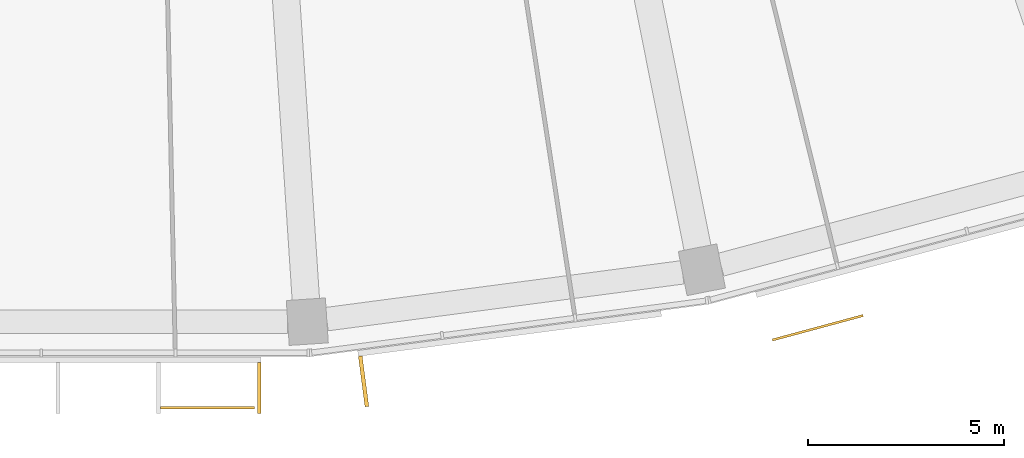
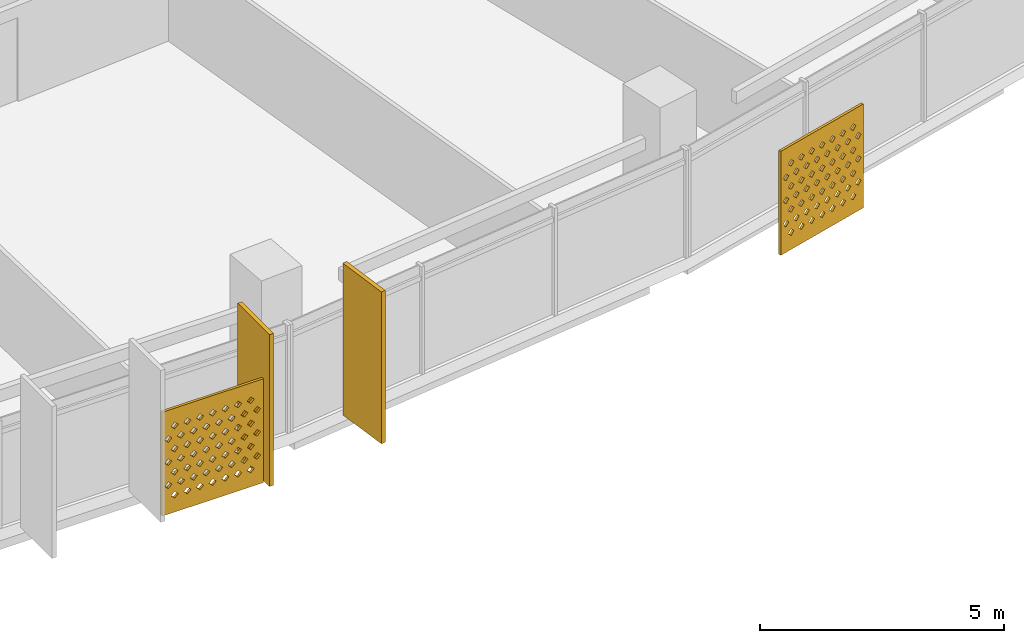
# One storey, part 25 of 27: 4 shading devices.
"""IFC4 building model written with IfcOpenShell, lengths in metres."""

from ifc_helpers import new_model, si_unit, direction, frame, origin, origin_2d, place, context, subcontext, project, spatial, polyline, rectangle, outline, extrude, material, material_profile, profile_set, type_object, element, save


model = new_model("IFC4")

# Units and contexts
model_context = context("Model", 3, precision=1e-05, world=origin(), true_north=direction((0.0, 1.0)))
body_context = subcontext(model_context, "Body", "Model", "MODEL_VIEW")
ifc_project = project(units=[si_unit("LENGTHUNIT", "METRE"), si_unit("AREAUNIT", "SQUARE_METRE"), si_unit("VOLUMEUNIT", "CUBIC_METRE"), si_unit("PLANEANGLEUNIT", "RADIAN"), si_unit("MASSUNIT", "GRAM", prefix="KILO")], contexts=[model_context])

# Site, building, storey
site_placement = place(None, origin())
site = spatial("IfcSite", under=ifc_project, at=site_placement, CompositionType="ELEMENT")
building_placement = place(site_placement, origin())
building = spatial("IfcBuilding", under=site, at=building_placement, Name="Qamariyya Broadcast Tower", CompositionType="ELEMENT")
storey_placement = place(building_placement, frame((0.0, 0.0, 222.699951171875)))
storey = spatial("IfcBuildingStorey", under=building, at=storey_placement, Name="L53", CompositionType="ELEMENT", Elevation=222.699951171875)

# Shading devices
ifc_material_1 = material(Name="Perforated glazed terracotta", Category="masonry")
ifc_material_profile_1 = material_profile(ifc_material_1, outline(polyline([(-1.199951171875, -1.300048828125), (1.199951171875, -1.300048828125), (1.199951171875, 1.300048828125), (-1.199951171875, 1.300048828125), (-1.199951171875, -1.300048828125)]), holes=[polyline([(-0.81494140625, -0.86669921875), (-0.89990234375, -0.78173828125), (-0.985107421875, -0.86669921875), (-0.89990234375, -0.95166015625), (-0.81494140625, -0.86669921875)]), polyline([(-0.514892578125, -0.86669921875), (-0.60009765625, -0.78173828125), (-0.68505859375, -0.86669921875), (-0.60009765625, -0.95166015625), (-0.514892578125, -0.86669921875)]), polyline([(-0.215087890625, -0.86669921875), (-0.300048828125, -0.78173828125), (-0.385009765625, -0.86669921875), (-0.300048828125, -0.95166015625), (-0.215087890625, -0.86669921875)]), polyline([(0.0849609375, -0.86669921875), (0.0, -0.78173828125), (-0.0849609375, -0.86669921875), (0.0, -0.95166015625), (0.0849609375, -0.86669921875)]), polyline([(0.385009765625, -0.86669921875), (0.300048828125, -0.78173828125), (0.215087890625, -0.86669921875), (0.300048828125, -0.95166015625), (0.385009765625, -0.86669921875)]), polyline([(0.68505859375, -0.86669921875), (0.60009765625, -0.78173828125), (0.514892578125, -0.86669921875), (0.60009765625, -0.95166015625), (0.68505859375, -0.86669921875)]), polyline([(0.985107421875, -0.86669921875), (0.89990234375, -0.78173828125), (0.81494140625, -0.86669921875), (0.89990234375, -0.95166015625), (0.985107421875, -0.86669921875)]), polyline([(-0.965087890625, -0.577880859375), (-1.050048828125, -0.49267578125), (-1.135009765625, -0.577880859375), (-1.050048828125, -0.662841796875), (-0.965087890625, -0.577880859375)]), polyline([(-0.6650390625, -0.577880859375), (-0.75, -0.49267578125), (-0.8349609375, -0.577880859375), (-0.75, -0.662841796875), (-0.6650390625, -0.577880859375)]), polyline([(-0.364990234375, -0.577880859375), (-0.449951171875, -0.49267578125), (-0.534912109375, -0.577880859375), (-0.449951171875, -0.662841796875), (-0.364990234375, -0.577880859375)]), polyline([(-0.06494140625, -0.577880859375), (-0.14990234375, -0.49267578125), (-0.235107421875, -0.577880859375), (-0.14990234375, -0.662841796875), (-0.06494140625, -0.577880859375)]), polyline([(0.235107421875, -0.577880859375), (0.14990234375, -0.49267578125), (0.06494140625, -0.577880859375), (0.14990234375, -0.662841796875), (0.235107421875, -0.577880859375)]), polyline([(0.534912109375, -0.577880859375), (0.449951171875, -0.49267578125), (0.364990234375, -0.577880859375), (0.449951171875, -0.662841796875), (0.534912109375, -0.577880859375)]), polyline([(0.8349609375, -0.577880859375), (0.75, -0.49267578125), (0.6650390625, -0.577880859375), (0.75, -0.662841796875), (0.8349609375, -0.577880859375)]), polyline([(1.135009765625, -0.577880859375), (1.050048828125, -0.49267578125), (0.965087890625, -0.577880859375), (1.050048828125, -0.662841796875), (1.135009765625, -0.577880859375)]), polyline([(-0.81494140625, -0.288818359375), (-0.89990234375, -0.203857421875), (-0.985107421875, -0.288818359375), (-0.89990234375, -0.373779296875), (-0.81494140625, -0.288818359375)]), polyline([(-0.514892578125, -0.288818359375), (-0.60009765625, -0.203857421875), (-0.68505859375, -0.288818359375), (-0.60009765625, -0.373779296875), (-0.514892578125, -0.288818359375)]), polyline([(-0.215087890625, -0.288818359375), (-0.300048828125, -0.203857421875), (-0.385009765625, -0.288818359375), (-0.300048828125, -0.373779296875), (-0.215087890625, -0.288818359375)]), polyline([(0.0849609375, -0.288818359375), (0.0, -0.203857421875), (-0.0849609375, -0.288818359375), (0.0, -0.373779296875), (0.0849609375, -0.288818359375)]), polyline([(0.385009765625, -0.288818359375), (0.300048828125, -0.203857421875), (0.215087890625, -0.288818359375), (0.300048828125, -0.373779296875), (0.385009765625, -0.288818359375)]), polyline([(0.68505859375, -0.288818359375), (0.60009765625, -0.203857421875), (0.514892578125, -0.288818359375), (0.60009765625, -0.373779296875), (0.68505859375, -0.288818359375)]), polyline([(0.985107421875, -0.288818359375), (0.89990234375, -0.203857421875), (0.81494140625, -0.288818359375), (0.89990234375, -0.373779296875), (0.985107421875, -0.288818359375)]), polyline([(-0.965087890625, 0.0), (-1.050048828125, 0.0849609375), (-1.135009765625, 0.0), (-1.050048828125, -0.0849609375), (-0.965087890625, 0.0)]), polyline([(-0.6650390625, 0.0), (-0.75, 0.0849609375), (-0.8349609375, 0.0), (-0.75, -0.0849609375), (-0.6650390625, 0.0)]), polyline([(-0.364990234375, 0.0), (-0.449951171875, 0.0849609375), (-0.534912109375, 0.0), (-0.449951171875, -0.0849609375), (-0.364990234375, 0.0)]), polyline([(-0.06494140625, 0.0), (-0.14990234375, 0.0849609375), (-0.235107421875, 0.0), (-0.14990234375, -0.0849609375), (-0.06494140625, 0.0)]), polyline([(0.235107421875, 0.0), (0.14990234375, 0.0849609375), (0.06494140625, 0.0), (0.14990234375, -0.0849609375), (0.235107421875, 0.0)]), polyline([(0.534912109375, 0.0), (0.449951171875, 0.0849609375), (0.364990234375, 0.0), (0.449951171875, -0.0849609375), (0.534912109375, 0.0)]), polyline([(0.8349609375, 0.0), (0.75, 0.0849609375), (0.6650390625, 0.0), (0.75, -0.0849609375), (0.8349609375, 0.0)]), polyline([(1.135009765625, 0.0), (1.050048828125, 0.0849609375), (0.965087890625, 0.0), (1.050048828125, -0.0849609375), (1.135009765625, 0.0)]), polyline([(-0.81494140625, 0.288818359375), (-0.89990234375, 0.373779296875), (-0.985107421875, 0.288818359375), (-0.89990234375, 0.203857421875), (-0.81494140625, 0.288818359375)]), polyline([(-0.514892578125, 0.288818359375), (-0.60009765625, 0.373779296875), (-0.68505859375, 0.288818359375), (-0.60009765625, 0.203857421875), (-0.514892578125, 0.288818359375)]), polyline([(-0.215087890625, 0.288818359375), (-0.300048828125, 0.373779296875), (-0.385009765625, 0.288818359375), (-0.300048828125, 0.203857421875), (-0.215087890625, 0.288818359375)]), polyline([(0.0849609375, 0.288818359375), (0.0, 0.373779296875), (-0.0849609375, 0.288818359375), (0.0, 0.203857421875), (0.0849609375, 0.288818359375)]), polyline([(0.385009765625, 0.288818359375), (0.300048828125, 0.373779296875), (0.215087890625, 0.288818359375), (0.300048828125, 0.203857421875), (0.385009765625, 0.288818359375)]), polyline([(0.68505859375, 0.288818359375), (0.60009765625, 0.373779296875), (0.514892578125, 0.288818359375), (0.60009765625, 0.203857421875), (0.68505859375, 0.288818359375)]), polyline([(0.985107421875, 0.288818359375), (0.89990234375, 0.373779296875), (0.81494140625, 0.288818359375), (0.89990234375, 0.203857421875), (0.985107421875, 0.288818359375)]), polyline([(-0.965087890625, 0.577880859375), (-1.050048828125, 0.662841796875), (-1.135009765625, 0.577880859375), (-1.050048828125, 0.49267578125), (-0.965087890625, 0.577880859375)]), polyline([(-0.6650390625, 0.577880859375), (-0.75, 0.662841796875), (-0.8349609375, 0.577880859375), (-0.75, 0.49267578125), (-0.6650390625, 0.577880859375)]), polyline([(-0.364990234375, 0.577880859375), (-0.449951171875, 0.662841796875), (-0.534912109375, 0.577880859375), (-0.449951171875, 0.49267578125), (-0.364990234375, 0.577880859375)]), polyline([(-0.06494140625, 0.577880859375), (-0.14990234375, 0.662841796875), (-0.235107421875, 0.577880859375), (-0.14990234375, 0.49267578125), (-0.06494140625, 0.577880859375)]), polyline([(0.235107421875, 0.577880859375), (0.14990234375, 0.662841796875), (0.06494140625, 0.577880859375), (0.14990234375, 0.49267578125), (0.235107421875, 0.577880859375)]), polyline([(0.534912109375, 0.577880859375), (0.449951171875, 0.662841796875), (0.364990234375, 0.577880859375), (0.449951171875, 0.49267578125), (0.534912109375, 0.577880859375)]), polyline([(0.8349609375, 0.577880859375), (0.75, 0.662841796875), (0.6650390625, 0.577880859375), (0.75, 0.49267578125), (0.8349609375, 0.577880859375)]), polyline([(1.135009765625, 0.577880859375), (1.050048828125, 0.662841796875), (0.965087890625, 0.577880859375), (1.050048828125, 0.49267578125), (1.135009765625, 0.577880859375)]), polyline([(-0.81494140625, 0.86669921875), (-0.89990234375, 0.95166015625), (-0.985107421875, 0.86669921875), (-0.89990234375, 0.78173828125), (-0.81494140625, 0.86669921875)]), polyline([(-0.514892578125, 0.86669921875), (-0.60009765625, 0.95166015625), (-0.68505859375, 0.86669921875), (-0.60009765625, 0.78173828125), (-0.514892578125, 0.86669921875)]), polyline([(-0.215087890625, 0.86669921875), (-0.300048828125, 0.95166015625), (-0.385009765625, 0.86669921875), (-0.300048828125, 0.78173828125), (-0.215087890625, 0.86669921875)]), polyline([(0.0849609375, 0.86669921875), (0.0, 0.95166015625), (-0.0849609375, 0.86669921875), (0.0, 0.78173828125), (0.0849609375, 0.86669921875)]), polyline([(0.385009765625, 0.86669921875), (0.300048828125, 0.95166015625), (0.215087890625, 0.86669921875), (0.300048828125, 0.78173828125), (0.385009765625, 0.86669921875)]), polyline([(0.68505859375, 0.86669921875), (0.60009765625, 0.95166015625), (0.514892578125, 0.86669921875), (0.60009765625, 0.78173828125), (0.68505859375, 0.86669921875)]), polyline([(0.985107421875, 0.86669921875), (0.89990234375, 0.95166015625), (0.81494140625, 0.86669921875), (0.89990234375, 0.78173828125), (0.985107421875, 0.86669921875)])]))
ifc_profile_set_1 = profile_set([ifc_material_profile_1], Name="Perforated glazed terracotta")
shading_device_type_1 = type_object("IfcShadingDeviceType", Name="Perforated terracotta screen 2400 x 2600", PredefinedType="USERDEFINED", material=ifc_profile_set_1)
shading_device_1_placement = place(storey_placement, frame((2.535888671875, -79.751708984375, 1.35009765625), z_axis=(0.0, -1.0, 0.0), x_axis=(1.0, 0.0, 0.0)))
element("IfcShadingDevice", 1, at=shading_device_1_placement, inside=storey, type_object=shading_device_type_1, Name="e-scr-L53-08-2", ObjectType="SCREEN", PredefinedType="USERDEFINED", context=body_context, shape_type="SweptSolid", body=[
    extrude(outline(polyline([(-1.199951171875, -1.300048828125), (1.199951171875, -1.300048828125), (1.199951171875, 1.300048828125), (-1.199951171875, 1.300048828125), (-1.199951171875, -1.300048828125)]), holes=[polyline([(-0.81494140625, -0.86669921875), (-0.89990234375, -0.78173828125), (-0.985107421875, -0.86669921875), (-0.89990234375, -0.95166015625), (-0.81494140625, -0.86669921875)]), polyline([(-0.514892578125, -0.86669921875), (-0.60009765625, -0.78173828125), (-0.68505859375, -0.86669921875), (-0.60009765625, -0.95166015625), (-0.514892578125, -0.86669921875)]), polyline([(-0.215087890625, -0.86669921875), (-0.300048828125, -0.78173828125), (-0.385009765625, -0.86669921875), (-0.300048828125, -0.95166015625), (-0.215087890625, -0.86669921875)]), polyline([(0.0849609375, -0.86669921875), (0.0, -0.78173828125), (-0.0849609375, -0.86669921875), (0.0, -0.95166015625), (0.0849609375, -0.86669921875)]), polyline([(0.385009765625, -0.86669921875), (0.300048828125, -0.78173828125), (0.215087890625, -0.86669921875), (0.300048828125, -0.95166015625), (0.385009765625, -0.86669921875)]), polyline([(0.68505859375, -0.86669921875), (0.60009765625, -0.78173828125), (0.514892578125, -0.86669921875), (0.60009765625, -0.95166015625), (0.68505859375, -0.86669921875)]), polyline([(0.985107421875, -0.86669921875), (0.89990234375, -0.78173828125), (0.81494140625, -0.86669921875), (0.89990234375, -0.95166015625), (0.985107421875, -0.86669921875)]), polyline([(-0.965087890625, -0.577880859375), (-1.050048828125, -0.49267578125), (-1.135009765625, -0.577880859375), (-1.050048828125, -0.662841796875), (-0.965087890625, -0.577880859375)]), polyline([(-0.6650390625, -0.577880859375), (-0.75, -0.49267578125), (-0.8349609375, -0.577880859375), (-0.75, -0.662841796875), (-0.6650390625, -0.577880859375)]), polyline([(-0.364990234375, -0.577880859375), (-0.449951171875, -0.49267578125), (-0.534912109375, -0.577880859375), (-0.449951171875, -0.662841796875), (-0.364990234375, -0.577880859375)]), polyline([(-0.06494140625, -0.577880859375), (-0.14990234375, -0.49267578125), (-0.235107421875, -0.577880859375), (-0.14990234375, -0.662841796875), (-0.06494140625, -0.577880859375)]), polyline([(0.235107421875, -0.577880859375), (0.14990234375, -0.49267578125), (0.06494140625, -0.577880859375), (0.14990234375, -0.662841796875), (0.235107421875, -0.577880859375)]), polyline([(0.534912109375, -0.577880859375), (0.449951171875, -0.49267578125), (0.364990234375, -0.577880859375), (0.449951171875, -0.662841796875), (0.534912109375, -0.577880859375)]), polyline([(0.8349609375, -0.577880859375), (0.75, -0.49267578125), (0.6650390625, -0.577880859375), (0.75, -0.662841796875), (0.8349609375, -0.577880859375)]), polyline([(1.135009765625, -0.577880859375), (1.050048828125, -0.49267578125), (0.965087890625, -0.577880859375), (1.050048828125, -0.662841796875), (1.135009765625, -0.577880859375)]), polyline([(-0.81494140625, -0.288818359375), (-0.89990234375, -0.203857421875), (-0.985107421875, -0.288818359375), (-0.89990234375, -0.373779296875), (-0.81494140625, -0.288818359375)]), polyline([(-0.514892578125, -0.288818359375), (-0.60009765625, -0.203857421875), (-0.68505859375, -0.288818359375), (-0.60009765625, -0.373779296875), (-0.514892578125, -0.288818359375)]), polyline([(-0.215087890625, -0.288818359375), (-0.300048828125, -0.203857421875), (-0.385009765625, -0.288818359375), (-0.300048828125, -0.373779296875), (-0.215087890625, -0.288818359375)]), polyline([(0.0849609375, -0.288818359375), (0.0, -0.203857421875), (-0.0849609375, -0.288818359375), (0.0, -0.373779296875), (0.0849609375, -0.288818359375)]), polyline([(0.385009765625, -0.288818359375), (0.300048828125, -0.203857421875), (0.215087890625, -0.288818359375), (0.300048828125, -0.373779296875), (0.385009765625, -0.288818359375)]), polyline([(0.68505859375, -0.288818359375), (0.60009765625, -0.203857421875), (0.514892578125, -0.288818359375), (0.60009765625, -0.373779296875), (0.68505859375, -0.288818359375)]), polyline([(0.985107421875, -0.288818359375), (0.89990234375, -0.203857421875), (0.81494140625, -0.288818359375), (0.89990234375, -0.373779296875), (0.985107421875, -0.288818359375)]), polyline([(-0.965087890625, 0.0), (-1.050048828125, 0.0849609375), (-1.135009765625, 0.0), (-1.050048828125, -0.0849609375), (-0.965087890625, 0.0)]), polyline([(-0.6650390625, 0.0), (-0.75, 0.0849609375), (-0.8349609375, 0.0), (-0.75, -0.0849609375), (-0.6650390625, 0.0)]), polyline([(-0.364990234375, 0.0), (-0.449951171875, 0.0849609375), (-0.534912109375, 0.0), (-0.449951171875, -0.0849609375), (-0.364990234375, 0.0)]), polyline([(-0.06494140625, 0.0), (-0.14990234375, 0.0849609375), (-0.235107421875, 0.0), (-0.14990234375, -0.0849609375), (-0.06494140625, 0.0)]), polyline([(0.235107421875, 0.0), (0.14990234375, 0.0849609375), (0.06494140625, 0.0), (0.14990234375, -0.0849609375), (0.235107421875, 0.0)]), polyline([(0.534912109375, 0.0), (0.449951171875, 0.0849609375), (0.364990234375, 0.0), (0.449951171875, -0.0849609375), (0.534912109375, 0.0)]), polyline([(0.8349609375, 0.0), (0.75, 0.0849609375), (0.6650390625, 0.0), (0.75, -0.0849609375), (0.8349609375, 0.0)]), polyline([(1.135009765625, 0.0), (1.050048828125, 0.0849609375), (0.965087890625, 0.0), (1.050048828125, -0.0849609375), (1.135009765625, 0.0)]), polyline([(-0.81494140625, 0.288818359375), (-0.89990234375, 0.373779296875), (-0.985107421875, 0.288818359375), (-0.89990234375, 0.203857421875), (-0.81494140625, 0.288818359375)]), polyline([(-0.514892578125, 0.288818359375), (-0.60009765625, 0.373779296875), (-0.68505859375, 0.288818359375), (-0.60009765625, 0.203857421875), (-0.514892578125, 0.288818359375)]), polyline([(-0.215087890625, 0.288818359375), (-0.300048828125, 0.373779296875), (-0.385009765625, 0.288818359375), (-0.300048828125, 0.203857421875), (-0.215087890625, 0.288818359375)]), polyline([(0.0849609375, 0.288818359375), (0.0, 0.373779296875), (-0.0849609375, 0.288818359375), (0.0, 0.203857421875), (0.0849609375, 0.288818359375)]), polyline([(0.385009765625, 0.288818359375), (0.300048828125, 0.373779296875), (0.215087890625, 0.288818359375), (0.300048828125, 0.203857421875), (0.385009765625, 0.288818359375)]), polyline([(0.68505859375, 0.288818359375), (0.60009765625, 0.373779296875), (0.514892578125, 0.288818359375), (0.60009765625, 0.203857421875), (0.68505859375, 0.288818359375)]), polyline([(0.985107421875, 0.288818359375), (0.89990234375, 0.373779296875), (0.81494140625, 0.288818359375), (0.89990234375, 0.203857421875), (0.985107421875, 0.288818359375)]), polyline([(-0.965087890625, 0.577880859375), (-1.050048828125, 0.662841796875), (-1.135009765625, 0.577880859375), (-1.050048828125, 0.49267578125), (-0.965087890625, 0.577880859375)]), polyline([(-0.6650390625, 0.577880859375), (-0.75, 0.662841796875), (-0.8349609375, 0.577880859375), (-0.75, 0.49267578125), (-0.6650390625, 0.577880859375)]), polyline([(-0.364990234375, 0.577880859375), (-0.449951171875, 0.662841796875), (-0.534912109375, 0.577880859375), (-0.449951171875, 0.49267578125), (-0.364990234375, 0.577880859375)]), polyline([(-0.06494140625, 0.577880859375), (-0.14990234375, 0.662841796875), (-0.235107421875, 0.577880859375), (-0.14990234375, 0.49267578125), (-0.06494140625, 0.577880859375)]), polyline([(0.235107421875, 0.577880859375), (0.14990234375, 0.662841796875), (0.06494140625, 0.577880859375), (0.14990234375, 0.49267578125), (0.235107421875, 0.577880859375)]), polyline([(0.534912109375, 0.577880859375), (0.449951171875, 0.662841796875), (0.364990234375, 0.577880859375), (0.449951171875, 0.49267578125), (0.534912109375, 0.577880859375)]), polyline([(0.8349609375, 0.577880859375), (0.75, 0.662841796875), (0.6650390625, 0.577880859375), (0.75, 0.49267578125), (0.8349609375, 0.577880859375)]), polyline([(1.135009765625, 0.577880859375), (1.050048828125, 0.662841796875), (0.965087890625, 0.577880859375), (1.050048828125, 0.49267578125), (1.135009765625, 0.577880859375)]), polyline([(-0.81494140625, 0.86669921875), (-0.89990234375, 0.95166015625), (-0.985107421875, 0.86669921875), (-0.89990234375, 0.78173828125), (-0.81494140625, 0.86669921875)]), polyline([(-0.514892578125, 0.86669921875), (-0.60009765625, 0.95166015625), (-0.68505859375, 0.86669921875), (-0.60009765625, 0.78173828125), (-0.514892578125, 0.86669921875)]), polyline([(-0.215087890625, 0.86669921875), (-0.300048828125, 0.95166015625), (-0.385009765625, 0.86669921875), (-0.300048828125, 0.78173828125), (-0.215087890625, 0.86669921875)]), polyline([(0.0849609375, 0.86669921875), (0.0, 0.95166015625), (-0.0849609375, 0.86669921875), (0.0, 0.78173828125), (0.0849609375, 0.86669921875)]), polyline([(0.385009765625, 0.86669921875), (0.300048828125, 0.95166015625), (0.215087890625, 0.86669921875), (0.300048828125, 0.78173828125), (0.385009765625, 0.86669921875)]), polyline([(0.68505859375, 0.86669921875), (0.60009765625, 0.95166015625), (0.514892578125, 0.86669921875), (0.60009765625, 0.78173828125), (0.68505859375, 0.86669921875)]), polyline([(0.985107421875, 0.86669921875), (0.89990234375, 0.95166015625), (0.81494140625, 0.86669921875), (0.89990234375, 0.78173828125), (0.985107421875, 0.86669921875)])]), origin(), (0.0, 0.0, 1.0), 0.059814453125),
])
shading_device_2_placement = place(storey_placement, frame((18.1220703125, -77.709228515625, 1.35009765625), z_axis=(0.260703819255, -0.965418830677, 0.0), x_axis=(0.965418830677, 0.260703819255, 0.0)))
element("IfcShadingDevice", 2, at=shading_device_2_placement, inside=storey, type_object=shading_device_type_1, Name="e-scr-L53-10-0", ObjectType="SCREEN", PredefinedType="USERDEFINED", context=body_context, shape_type="SweptSolid", body=[
    extrude(outline(polyline([(-1.199951171875, -1.300048828125), (1.199951171875, -1.300048828125), (1.199951171875, 1.300048828125), (-1.199951171875, 1.300048828125), (-1.199951171875, -1.300048828125)]), holes=[polyline([(-0.81494140625, -0.86669921875), (-0.89990234375, -0.78173828125), (-0.985107421875, -0.86669921875), (-0.89990234375, -0.95166015625), (-0.81494140625, -0.86669921875)]), polyline([(-0.514892578125, -0.86669921875), (-0.60009765625, -0.78173828125), (-0.68505859375, -0.86669921875), (-0.60009765625, -0.95166015625), (-0.514892578125, -0.86669921875)]), polyline([(-0.215087890625, -0.86669921875), (-0.300048828125, -0.78173828125), (-0.385009765625, -0.86669921875), (-0.300048828125, -0.95166015625), (-0.215087890625, -0.86669921875)]), polyline([(0.0849609375, -0.86669921875), (0.0, -0.78173828125), (-0.0849609375, -0.86669921875), (0.0, -0.95166015625), (0.0849609375, -0.86669921875)]), polyline([(0.385009765625, -0.86669921875), (0.300048828125, -0.78173828125), (0.215087890625, -0.86669921875), (0.300048828125, -0.95166015625), (0.385009765625, -0.86669921875)]), polyline([(0.68505859375, -0.86669921875), (0.60009765625, -0.78173828125), (0.514892578125, -0.86669921875), (0.60009765625, -0.95166015625), (0.68505859375, -0.86669921875)]), polyline([(0.985107421875, -0.86669921875), (0.89990234375, -0.78173828125), (0.81494140625, -0.86669921875), (0.89990234375, -0.95166015625), (0.985107421875, -0.86669921875)]), polyline([(-0.965087890625, -0.577880859375), (-1.050048828125, -0.49267578125), (-1.135009765625, -0.577880859375), (-1.050048828125, -0.662841796875), (-0.965087890625, -0.577880859375)]), polyline([(-0.6650390625, -0.577880859375), (-0.75, -0.49267578125), (-0.8349609375, -0.577880859375), (-0.75, -0.662841796875), (-0.6650390625, -0.577880859375)]), polyline([(-0.364990234375, -0.577880859375), (-0.449951171875, -0.49267578125), (-0.534912109375, -0.577880859375), (-0.449951171875, -0.662841796875), (-0.364990234375, -0.577880859375)]), polyline([(-0.06494140625, -0.577880859375), (-0.14990234375, -0.49267578125), (-0.235107421875, -0.577880859375), (-0.14990234375, -0.662841796875), (-0.06494140625, -0.577880859375)]), polyline([(0.235107421875, -0.577880859375), (0.14990234375, -0.49267578125), (0.06494140625, -0.577880859375), (0.14990234375, -0.662841796875), (0.235107421875, -0.577880859375)]), polyline([(0.534912109375, -0.577880859375), (0.449951171875, -0.49267578125), (0.364990234375, -0.577880859375), (0.449951171875, -0.662841796875), (0.534912109375, -0.577880859375)]), polyline([(0.8349609375, -0.577880859375), (0.75, -0.49267578125), (0.6650390625, -0.577880859375), (0.75, -0.662841796875), (0.8349609375, -0.577880859375)]), polyline([(1.135009765625, -0.577880859375), (1.050048828125, -0.49267578125), (0.965087890625, -0.577880859375), (1.050048828125, -0.662841796875), (1.135009765625, -0.577880859375)]), polyline([(-0.81494140625, -0.288818359375), (-0.89990234375, -0.203857421875), (-0.985107421875, -0.288818359375), (-0.89990234375, -0.373779296875), (-0.81494140625, -0.288818359375)]), polyline([(-0.514892578125, -0.288818359375), (-0.60009765625, -0.203857421875), (-0.68505859375, -0.288818359375), (-0.60009765625, -0.373779296875), (-0.514892578125, -0.288818359375)]), polyline([(-0.215087890625, -0.288818359375), (-0.300048828125, -0.203857421875), (-0.385009765625, -0.288818359375), (-0.300048828125, -0.373779296875), (-0.215087890625, -0.288818359375)]), polyline([(0.0849609375, -0.288818359375), (0.0, -0.203857421875), (-0.0849609375, -0.288818359375), (0.0, -0.373779296875), (0.0849609375, -0.288818359375)]), polyline([(0.385009765625, -0.288818359375), (0.300048828125, -0.203857421875), (0.215087890625, -0.288818359375), (0.300048828125, -0.373779296875), (0.385009765625, -0.288818359375)]), polyline([(0.68505859375, -0.288818359375), (0.60009765625, -0.203857421875), (0.514892578125, -0.288818359375), (0.60009765625, -0.373779296875), (0.68505859375, -0.288818359375)]), polyline([(0.985107421875, -0.288818359375), (0.89990234375, -0.203857421875), (0.81494140625, -0.288818359375), (0.89990234375, -0.373779296875), (0.985107421875, -0.288818359375)]), polyline([(-0.965087890625, 0.0), (-1.050048828125, 0.0849609375), (-1.135009765625, 0.0), (-1.050048828125, -0.0849609375), (-0.965087890625, 0.0)]), polyline([(-0.6650390625, 0.0), (-0.75, 0.0849609375), (-0.8349609375, 0.0), (-0.75, -0.0849609375), (-0.6650390625, 0.0)]), polyline([(-0.364990234375, 0.0), (-0.449951171875, 0.0849609375), (-0.534912109375, 0.0), (-0.449951171875, -0.0849609375), (-0.364990234375, 0.0)]), polyline([(-0.06494140625, 0.0), (-0.14990234375, 0.0849609375), (-0.235107421875, 0.0), (-0.14990234375, -0.0849609375), (-0.06494140625, 0.0)]), polyline([(0.235107421875, 0.0), (0.14990234375, 0.0849609375), (0.06494140625, 0.0), (0.14990234375, -0.0849609375), (0.235107421875, 0.0)]), polyline([(0.534912109375, 0.0), (0.449951171875, 0.0849609375), (0.364990234375, 0.0), (0.449951171875, -0.0849609375), (0.534912109375, 0.0)]), polyline([(0.8349609375, 0.0), (0.75, 0.0849609375), (0.6650390625, 0.0), (0.75, -0.0849609375), (0.8349609375, 0.0)]), polyline([(1.135009765625, 0.0), (1.050048828125, 0.0849609375), (0.965087890625, 0.0), (1.050048828125, -0.0849609375), (1.135009765625, 0.0)]), polyline([(-0.81494140625, 0.288818359375), (-0.89990234375, 0.373779296875), (-0.985107421875, 0.288818359375), (-0.89990234375, 0.203857421875), (-0.81494140625, 0.288818359375)]), polyline([(-0.514892578125, 0.288818359375), (-0.60009765625, 0.373779296875), (-0.68505859375, 0.288818359375), (-0.60009765625, 0.203857421875), (-0.514892578125, 0.288818359375)]), polyline([(-0.215087890625, 0.288818359375), (-0.300048828125, 0.373779296875), (-0.385009765625, 0.288818359375), (-0.300048828125, 0.203857421875), (-0.215087890625, 0.288818359375)]), polyline([(0.0849609375, 0.288818359375), (0.0, 0.373779296875), (-0.0849609375, 0.288818359375), (0.0, 0.203857421875), (0.0849609375, 0.288818359375)]), polyline([(0.385009765625, 0.288818359375), (0.300048828125, 0.373779296875), (0.215087890625, 0.288818359375), (0.300048828125, 0.203857421875), (0.385009765625, 0.288818359375)]), polyline([(0.68505859375, 0.288818359375), (0.60009765625, 0.373779296875), (0.514892578125, 0.288818359375), (0.60009765625, 0.203857421875), (0.68505859375, 0.288818359375)]), polyline([(0.985107421875, 0.288818359375), (0.89990234375, 0.373779296875), (0.81494140625, 0.288818359375), (0.89990234375, 0.203857421875), (0.985107421875, 0.288818359375)]), polyline([(-0.965087890625, 0.577880859375), (-1.050048828125, 0.662841796875), (-1.135009765625, 0.577880859375), (-1.050048828125, 0.49267578125), (-0.965087890625, 0.577880859375)]), polyline([(-0.6650390625, 0.577880859375), (-0.75, 0.662841796875), (-0.8349609375, 0.577880859375), (-0.75, 0.49267578125), (-0.6650390625, 0.577880859375)]), polyline([(-0.364990234375, 0.577880859375), (-0.449951171875, 0.662841796875), (-0.534912109375, 0.577880859375), (-0.449951171875, 0.49267578125), (-0.364990234375, 0.577880859375)]), polyline([(-0.06494140625, 0.577880859375), (-0.14990234375, 0.662841796875), (-0.235107421875, 0.577880859375), (-0.14990234375, 0.49267578125), (-0.06494140625, 0.577880859375)]), polyline([(0.235107421875, 0.577880859375), (0.14990234375, 0.662841796875), (0.06494140625, 0.577880859375), (0.14990234375, 0.49267578125), (0.235107421875, 0.577880859375)]), polyline([(0.534912109375, 0.577880859375), (0.449951171875, 0.662841796875), (0.364990234375, 0.577880859375), (0.449951171875, 0.49267578125), (0.534912109375, 0.577880859375)]), polyline([(0.8349609375, 0.577880859375), (0.75, 0.662841796875), (0.6650390625, 0.577880859375), (0.75, 0.49267578125), (0.8349609375, 0.577880859375)]), polyline([(1.135009765625, 0.577880859375), (1.050048828125, 0.662841796875), (0.965087890625, 0.577880859375), (1.050048828125, 0.49267578125), (1.135009765625, 0.577880859375)]), polyline([(-0.81494140625, 0.86669921875), (-0.89990234375, 0.95166015625), (-0.985107421875, 0.86669921875), (-0.89990234375, 0.78173828125), (-0.81494140625, 0.86669921875)]), polyline([(-0.514892578125, 0.86669921875), (-0.60009765625, 0.95166015625), (-0.68505859375, 0.86669921875), (-0.60009765625, 0.78173828125), (-0.514892578125, 0.86669921875)]), polyline([(-0.215087890625, 0.86669921875), (-0.300048828125, 0.95166015625), (-0.385009765625, 0.86669921875), (-0.300048828125, 0.78173828125), (-0.215087890625, 0.86669921875)]), polyline([(0.0849609375, 0.86669921875), (0.0, 0.95166015625), (-0.0849609375, 0.86669921875), (0.0, 0.78173828125), (0.0849609375, 0.86669921875)]), polyline([(0.385009765625, 0.86669921875), (0.300048828125, 0.95166015625), (0.215087890625, 0.86669921875), (0.300048828125, 0.78173828125), (0.385009765625, 0.86669921875)]), polyline([(0.68505859375, 0.86669921875), (0.60009765625, 0.95166015625), (0.514892578125, 0.86669921875), (0.60009765625, 0.78173828125), (0.68505859375, 0.86669921875)]), polyline([(0.985107421875, 0.86669921875), (0.89990234375, 0.95166015625), (0.81494140625, 0.86669921875), (0.89990234375, 0.78173828125), (0.985107421875, 0.86669921875)])]), origin(), (0.0, 0.0, 1.0), 0.059814453125),
])
ifc_material_2 = material(Name="Glazed terracotta", Category="masonry")
ifc_material_profile_2 = material_profile(ifc_material_2, rectangle(XDim=1.300048828125, YDim=0.10009765625, at=origin_2d()))
ifc_profile_set_2 = profile_set([ifc_material_profile_2], Name="Glazed terracotta")
shading_device_type_2 = type_object("IfcShadingDeviceType", Name="Terracotta fin 100 x 1300", PredefinedType="USERDEFINED", material=ifc_profile_set_2)
for number, where, z_axis, x_axis, name in (
    (3, (3.85791015625, -79.281494140625, 0.0), (0.0, 0.0, 1.0), (0.0, -1.0, 0.0), "e-fin-L53-08-3"),
    (4, (6.5234375, -79.10693359375, 0.0), (0.0, 0.0, 1.0), (0.13052619222, -0.991444861374, 0.0), "e-fin-L53-09-0"),
):
    element("IfcShadingDevice", number, at=place(storey_placement, frame(where, z_axis=z_axis, x_axis=x_axis)), inside=storey, type_object=shading_device_type_2, Name=name, ObjectType="FIN", PredefinedType="USERDEFINED", context=body_context, shape_type="SweptSolid", body=[
        extrude(rectangle(XDim=1.300048828125, YDim=0.10009765625, at=origin_2d()), origin(), (0.0, 0.0, 1.0), 3.800048828125),
    ])

save(model, "model.ifc")
